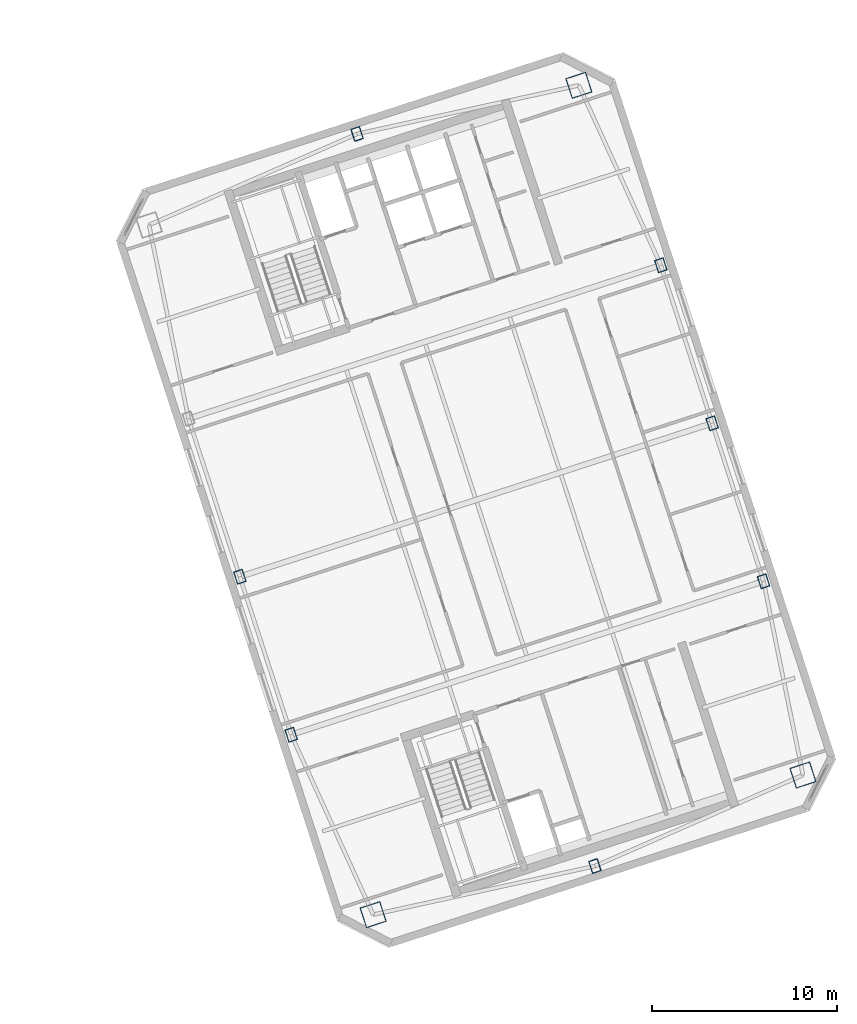
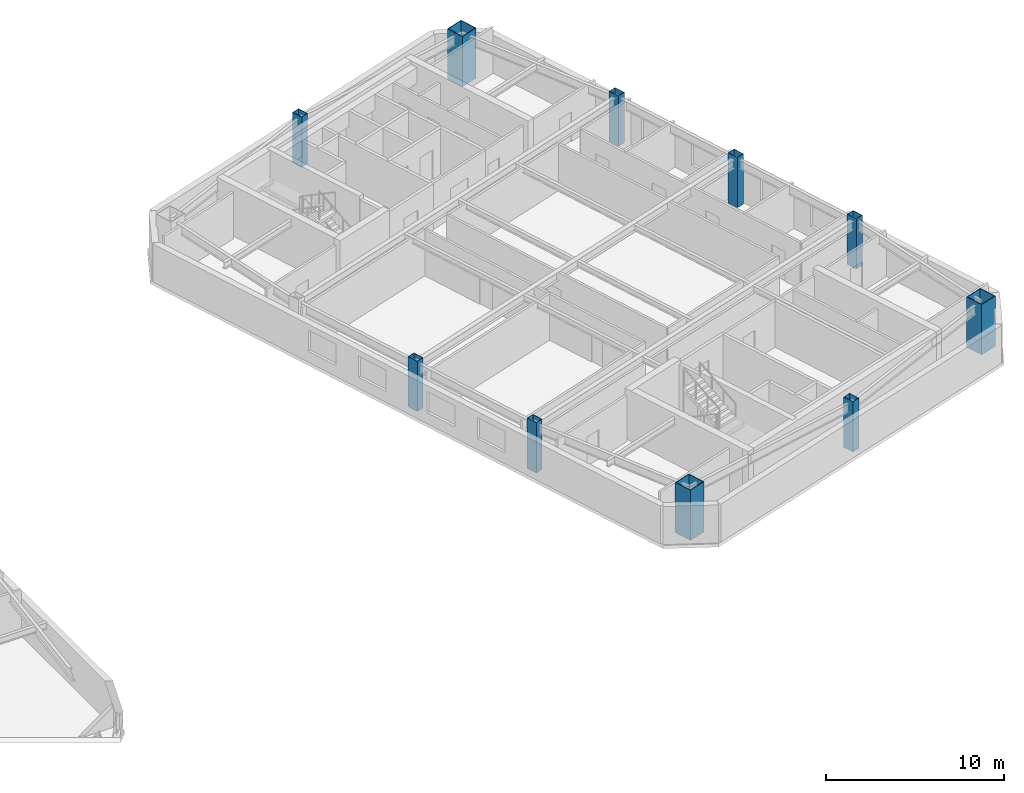
# One storey, part 2 of 25: 10 columns.
"""IFC4 building model written with IfcOpenShell, lengths in metres."""

from ifc_helpers import new_model, si_unit, direction, frame, origin, origin_2d, place, context, subcontext, project, spatial, hollow_rectangle, extrude, material, material_profile, profile_set, type_object, element, save


model = new_model("IFC4")

# Units and contexts
model_context = context("Model", 3, precision=1e-05, world=origin(), true_north=direction((0.0, 1.0)))
body_context = subcontext(model_context, "Body", "Model", "MODEL_VIEW")
ifc_project = project(units=[si_unit("LENGTHUNIT", "METRE"), si_unit("AREAUNIT", "SQUARE_METRE"), si_unit("VOLUMEUNIT", "CUBIC_METRE"), si_unit("PLANEANGLEUNIT", "RADIAN"), si_unit("MASSUNIT", "GRAM", prefix="KILO")], contexts=[model_context])

# Site, building, storey
site_placement = place(None, origin())
site = spatial("IfcSite", under=ifc_project, at=site_placement, CompositionType="ELEMENT")
building_placement = place(site_placement, origin())
building = spatial("IfcBuilding", under=site, at=building_placement, Name="Qiaolan Cultural Towers", CompositionType="ELEMENT")
storey_placement = place(building_placement, frame((0.0, 0.0, 202.39990234375)))
storey = spatial("IfcBuildingStorey", under=building, at=storey_placement, Name="L54", CompositionType="ELEMENT", Elevation=202.39990234375)

# Columns
ifc_material_1 = material(Name="Steel Q390GJB", Category="steel")
ifc_material_profile_1 = material_profile(ifc_material_1, hollow_rectangle(XDim=1.14990234375, YDim=1.14990234375, WallThickness=0.0400390625, at=origin_2d()), Name="BOX1150x1150x40")
ifc_profile_set_1 = profile_set([ifc_material_profile_1], Name="Steel Q390GJB")
column_type_1 = type_object("IfcColumnType", Name="COL-BOX1150x1150x40", PredefinedType="COLUMN", material=ifc_profile_set_1)
for number, where, z_axis, x_axis, name in (
    (1, (84.42822265625, 11.538818359375, 0.0), (0.0, 0.0, 1.0), (0.951056516295, 0.309016994375, 0.0), "L54 T2 Perimeter Column MC-SW"),
    (2, (107.7099609375, 19.103515625, 0.0), (0.0, 0.0, 1.0), (0.951056516295, 0.309016994375, 0.0), "L54 T2 Perimeter Column MC-SE"),
    (3, (95.57177734375, 56.461181640625, 0.0), (0.0, 0.0, 1.0), (0.951056516295, 0.309016994375, 0.0), "L54 T2 Perimeter Column MC-NE"),
):
    element("IfcColumn", number, at=place(storey_placement, frame(where, z_axis=z_axis, x_axis=x_axis)), inside=storey, type_object=column_type_1, Name=name, PredefinedType="COLUMN", context=body_context, shape_type="SweptSolid", body=[
        extrude(hollow_rectangle(XDim=1.14990234375, YDim=1.14990234375, WallThickness=0.0400390625, at=origin_2d()), origin(), (0.0, 0.0, 1.0), 3.451171875),
    ])
ifc_material_2 = material(Name="Steel Q355B", Category="steel")
ifc_material_profile_2 = material_profile(ifc_material_2, hollow_rectangle(XDim=0.5, YDim=0.699951171875, WallThickness=0.02490234375, at=origin_2d()), Name="BOX700x500x25")
ifc_profile_set_2 = profile_set([ifc_material_profile_2], Name="Steel Q355B")
column_type_2 = type_object("IfcColumnType", Name="COL-BOX700x500x25", PredefinedType="COLUMN", material=ifc_profile_set_2)
for number, where, z_axis, x_axis, name in (
    (4, (79.989501953125, 21.2841796875, 0.0), (0.0, 0.0, 1.0), (0.951056516295, 0.309016994375, 0.0), "L54 T2 Perimeter Column PC-W1"),
    (5, (77.208251953125, 29.84375, 0.0), (0.0, 0.0, 1.0), (0.951056516295, 0.309016994375, 0.0), "L54 T2 Perimeter Column PC-W2"),
    (6, (105.57275390625, 29.5966796875, 0.0), (0.0, 0.0, 1.0), (0.951056516295, 0.309016994375, 0.0), "L54 T2 Perimeter Column PC-E1"),
    (7, (102.791748046875, 38.15625, 0.0), (0.0, 0.0, 1.0), (0.951056516295, 0.309016994375, 0.0), "L54 T2 Perimeter Column PC-E2"),
    (8, (100.010498046875, 46.7158203125, 0.0), (0.0, 0.0, 1.0), (0.951056516295, 0.309016994375, 0.0), "L54 T2 Perimeter Column PC-E3"),
    (9, (96.443115234375, 14.17041015625, 0.0), (0.0, 0.0, 1.0), (0.951056516295, 0.309016994375, 0.0), "L54 T2 Perimeter Column PC-S0"),
    (10, (83.556884765625, 53.82958984375, 0.0), (0.0, 0.0, 1.0), (0.951056516295, 0.309016994375, 0.0), "L54 T2 Perimeter Column PC-N0"),
):
    element("IfcColumn", number, at=place(storey_placement, frame(where, z_axis=z_axis, x_axis=x_axis)), inside=storey, type_object=column_type_2, Name=name, PredefinedType="COLUMN", context=body_context, shape_type="SweptSolid", body=[
        extrude(hollow_rectangle(XDim=0.5, YDim=0.699951171875, WallThickness=0.02490234375, at=origin_2d()), origin(), (0.0, 0.0, 1.0), 3.451171875),
    ])

save(model, "model.ifc")
